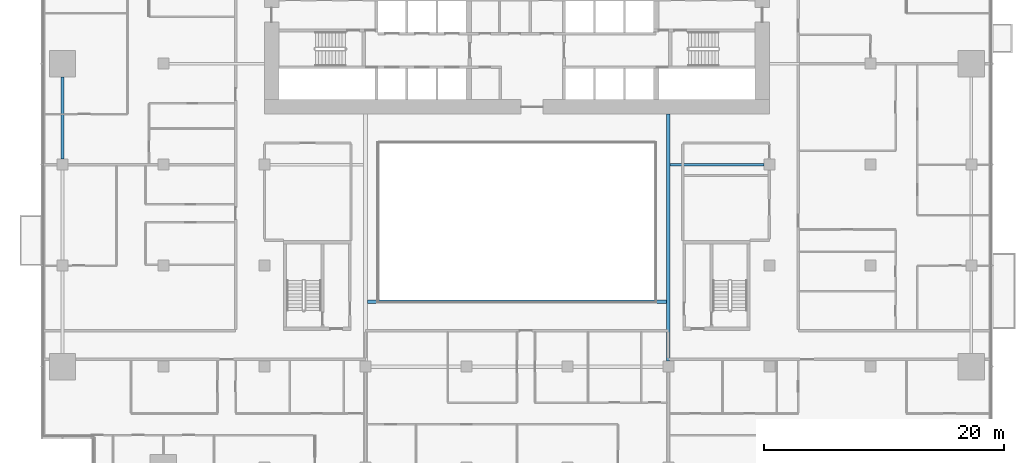
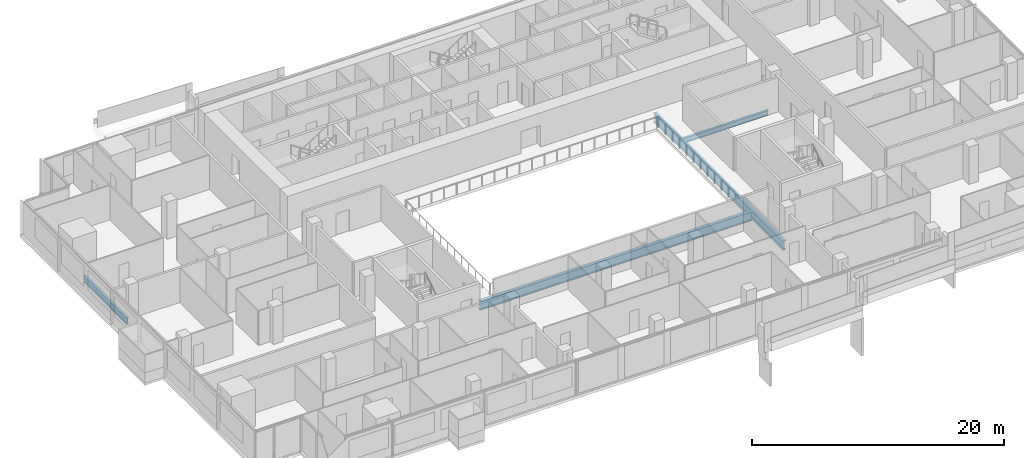
# One storey, part 7 of 27: 4 beams.
"""IFC4 building model written with IfcOpenShell, lengths in metres."""

from ifc_helpers import new_model, si_unit, direction, frame, origin, origin_2d, place, context, subcontext, project, spatial, i_section, extrude, material, material_profile, profile_set, type_object, element, save


model = new_model("IFC4")

# Units and contexts
model_context = context("Model", 3, precision=1e-05, world=origin(), true_north=direction((0.0, 1.0)))
body_context = subcontext(model_context, "Body", "Model", "MODEL_VIEW")
ifc_project = project(units=[si_unit("LENGTHUNIT", "METRE"), si_unit("AREAUNIT", "SQUARE_METRE"), si_unit("VOLUMEUNIT", "CUBIC_METRE"), si_unit("PLANEANGLEUNIT", "RADIAN"), si_unit("MASSUNIT", "GRAM", prefix="KILO")], contexts=[model_context])

# Site, building, storey
site_placement = place(None, origin())
site = spatial("IfcSite", under=ifc_project, at=site_placement, CompositionType="ELEMENT")
building_placement = place(site_placement, origin())
building = spatial("IfcBuilding", under=site, at=building_placement, Name="Saffron Gate Tower", CompositionType="ELEMENT")
storey_placement = place(building_placement, frame((0.0, 0.0, 66.0)))
storey = spatial("IfcBuildingStorey", under=building, at=storey_placement, Name="L15", CompositionType="ELEMENT", Elevation=66.0)

# Beams
ifc_material = material(Name="Structural steel S355", Category="steel")
ifc_material_profile_1 = material_profile(ifc_material, i_section(OverallWidth=0.199951171875, OverallDepth=0.5, WebThickness=0.01025390625, FlangeThickness=0.01611328125, FilletRadius=0.02099609375, at=origin_2d()))
ifc_profile_set_1 = profile_set([ifc_material_profile_1], Name="Structural steel S355")
beam_type_1 = type_object("IfcBeamType", Name="B10 IPE 500", PredefinedType="BEAM", material=ifc_profile_set_1)
beam_1_placement = place(storey_placement, frame((108.14990234375, 57.0, -0.530029296875), z_axis=(-1.0, 0.0, 0.0), x_axis=(0.0, -1.0, 0.0)))
element("IfcBeam", 1, at=beam_1_placement, inside=storey, type_object=beam_type_1, Name="B10 CORE TIE BEAM", PredefinedType="BEAM", context=body_context, shape_type="SweptSolid", body=[
    extrude(i_section(OverallWidth=0.199951171875, OverallDepth=0.5, WebThickness=0.01025390625, FlangeThickness=0.01611328125, FilletRadius=0.02099609375, at=origin_2d()), origin(), (0.0, 0.0, 1.0), 7.7998046875),
])
ifc_material_profile_2 = material_profile(ifc_material, i_section(OverallWidth=0.219970703125, OverallDepth=0.60009765625, WebThickness=0.011962890625, FlangeThickness=0.01904296875, FilletRadius=0.02392578125, at=origin_2d()))
ifc_profile_set_2 = profile_set([ifc_material_profile_2], Name="Structural steel S355")
beam_type_2 = type_object("IfcBeamType", Name="B16 IPE 600", PredefinedType="SPANDREL", material=ifc_profile_set_2)
beam_2_placement = place(storey_placement, frame((49.800048828125, 57.449951171875, -0.580078125), z_axis=(0.0, 1.0, 0.0), x_axis=(-1.0, 0.0, 0.0)))
element("IfcBeam", 2, at=beam_2_placement, inside=storey, type_object=beam_type_2, Name="B16 SPANDREL BEAM", PredefinedType="SPANDREL", context=body_context, shape_type="SweptSolid", body=[
    extrude(i_section(OverallWidth=0.219970703125, OverallDepth=0.60009765625, WebThickness=0.011962890625, FlangeThickness=0.01904296875, FilletRadius=0.02392578125, at=origin_2d()), origin(), (0.0, 0.0, 1.0), 6.85009765625),
])
ifc_material_profile_3 = material_profile(ifc_material, i_section(OverallWidth=0.300048828125, OverallDepth=0.889892578125, WebThickness=0.01611328125, FlangeThickness=0.030029296875, FilletRadius=0.030029296875, at=origin_2d()))
ifc_profile_set_3 = profile_set([ifc_material_profile_3], Name="Structural steel S355")
beam_type_3 = type_object("IfcBeamType", Name="B19 HEA 900", PredefinedType="BEAM", material=ifc_profile_set_3)
beam_3_placement = place(storey_placement, frame((100.199951171875, 40.64990234375, -0.72509765625), z_axis=(0.0, 1.0, 0.0), x_axis=(-1.0, 0.0, 0.0)))
element("IfcBeam", 3, at=beam_3_placement, inside=storey, type_object=beam_type_3, Name="B19 ATRIUM GIRDER", PredefinedType="BEAM", context=body_context, shape_type="SweptSolid", body=[
    extrude(i_section(OverallWidth=0.300048828125, OverallDepth=0.889892578125, WebThickness=0.01611328125, FlangeThickness=0.030029296875, FilletRadius=0.030029296875, at=origin_2d()), origin(), (0.0, 0.0, 1.0), 20.550048828125),
])
beam_4_placement = place(storey_placement, frame((75.14990234375, 45.60009765625, -0.72509765625), z_axis=(1.0, 0.0, 0.0), x_axis=(0.0, 1.0, 0.0)))
element("IfcBeam", 4, at=beam_4_placement, inside=storey, type_object=beam_type_3, Name="B19 ATRIUM GIRDER", PredefinedType="BEAM", context=body_context, shape_type="SweptSolid", body=[
    extrude(i_section(OverallWidth=0.300048828125, OverallDepth=0.889892578125, WebThickness=0.01611328125, FlangeThickness=0.030029296875, FilletRadius=0.030029296875, at=origin_2d()), origin(), (0.0, 0.0, 1.0), 24.900146484375),
])

save(model, "model.ifc")
